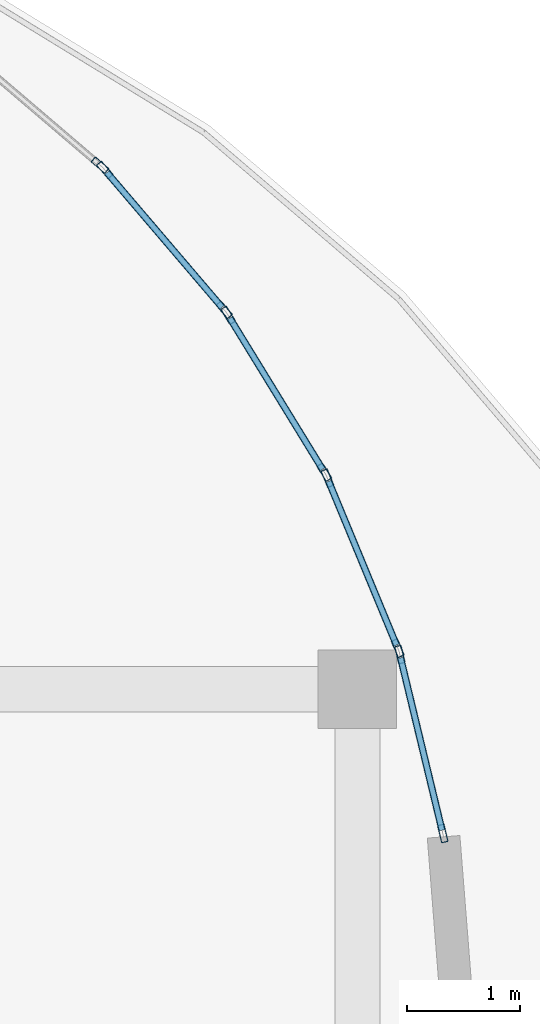
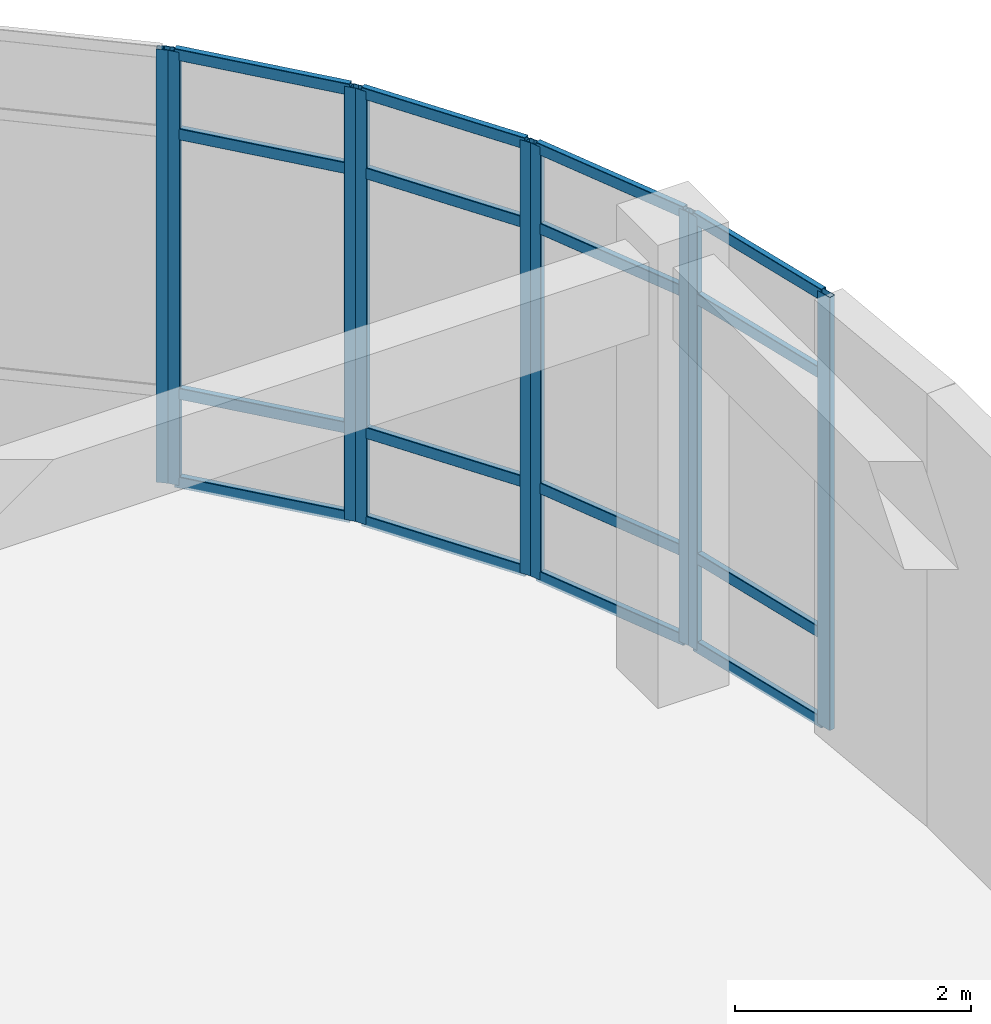
# One storey, part 45 of 64: 25 members, 5 elements without a shape of their own.
"""IFC4 building model written with IfcOpenShell, lengths in metres."""

from ifc_helpers import new_model, si_unit, derived_unit, direction, frame, origin, origin_2d, place, context, subcontext, project, spatial, hollow_rectangle, extrude, material, layer, layer_set, material_profile, profile_set, type_object, element, aggregate, save


model = new_model("IFC4")

# Units and contexts
model_context = context("Model", 3, precision=1e-05, world=origin(), true_north=direction((0.0, 1.0)))
body_context = subcontext(model_context, "Body", "Model", "MODEL_VIEW")
ifc_project = project(units=[si_unit("LENGTHUNIT", "METRE"), si_unit("AREAUNIT", "SQUARE_METRE"), si_unit("VOLUMEUNIT", "CUBIC_METRE"), si_unit("PLANEANGLEUNIT", "RADIAN"), si_unit("MASSUNIT", "GRAM", prefix="KILO"), derived_unit("THERMALTRANSMITTANCEUNIT", [(si_unit("MASSUNIT", "GRAM", prefix="KILO"), 1), (si_unit("TIMEUNIT", "SECOND"), -3), (si_unit("THERMODYNAMICTEMPERATUREUNIT", "KELVIN"), -1)])], contexts=[model_context])

# Site, building, storey
site_placement = place(None, origin())
site = spatial("IfcSite", under=ifc_project, at=site_placement, CompositionType="ELEMENT")
building_placement = place(site_placement, origin())
building = spatial("IfcBuilding", under=site, at=building_placement, Name="Qinzheling Arcade Emporium", CompositionType="ELEMENT")
storey_placement = place(building_placement, frame((0.0, 0.0, 31.5)))
storey = spatial("IfcBuildingStorey", under=building, at=storey_placement, Name="L07", CompositionType="ELEMENT", Elevation=31.5)

# Curtain wall, member
ifc_material_1 = material(Name="Anodised aluminium and solar-control double glazing", Category="aluminium")
ifc_layer = layer(ifc_material_1, 0.159912109375, Name="Anodised aluminium and solar-control double glazing", Category="aluminium")
ifc_layer_set = layer_set([ifc_layer], Name="Anodised aluminium and solar-control double glazing")
curtain_wall_type = type_object("IfcCurtainWallType", Name="Curved Ribbon Sales Curtain Wall", PredefinedType="NOTDEFINED", material=ifc_layer_set)
curtain_wall_1_placement = place(storey_placement, origin())
curtain_wall_1 = element("IfcCurtainWall", 1, at=curtain_wall_1_placement, inside=storey, type_object=curtain_wall_type, Name="Curtain Wall CW-L07-436", PredefinedType="NOTDEFINED")
ifc_material_2 = material(Name="Anodised aluminium 6063-T6", Category="aluminium")
ifc_material_profile_1 = material_profile(ifc_material_2, hollow_rectangle(XDim=0.06005859375, YDim=0.159912109375, WallThickness=0.00390625, InnerFilletRadius=0.00390625, OuterFilletRadius=0.008056640625, at=origin_2d()), Name="RHS 160x60x4", Category="aluminium")
ifc_profile_set_1 = profile_set([ifc_material_profile_1], Name="Anodised aluminium 6063-T6")
member_type_1 = type_object("IfcMemberType", Name="Curtain Wall Mullion RHS160x60", PredefinedType="MULLION", material=ifc_profile_set_1)
member_1_placement = place(storey_placement, frame((128.214111328125, 103.656494140625, 0.0), z_axis=(0.0, 0.0, 1.0), x_axis=(0.64913748237, 0.760671104343, 0.0)))
member_1 = element("IfcMember", 2, at=member_1_placement, type_object=member_type_1, Name="CW02 mullion 2", PredefinedType="MULLION", context=body_context, shape_type="SweptSolid", body=[
    extrude(hollow_rectangle(XDim=0.06005859375, YDim=0.159912109375, WallThickness=0.00390625, InnerFilletRadius=0.00390625, OuterFilletRadius=0.008056640625, at=origin_2d()), origin(), (0.0, 0.0, 1.0), 4.489990234375),
])
aggregate(curtain_wall_1, [member_1])

# Curtain wall, members
curtain_wall_2_placement = place(storey_placement, origin())
curtain_wall_2 = element("IfcCurtainWall", 3, at=curtain_wall_2_placement, inside=storey, type_object=curtain_wall_type, Name="Curtain Wall CW-L07-437", PredefinedType="NOTDEFINED")
member_2_placement = place(storey_placement, frame((128.256591796875, 103.6142578125, 0.0), z_axis=(0.0, 0.0, 1.0), x_axis=(0.760671104343, 0.64913748237, 0.0)))
member_2 = element("IfcMember", 4, at=member_2_placement, type_object=member_type_1, Name="CW02 mullion 1", PredefinedType="MULLION", context=body_context, shape_type="SweptSolid", body=[
    extrude(hollow_rectangle(XDim=0.06005859375, YDim=0.159912109375, WallThickness=0.00390625, InnerFilletRadius=0.00390625, OuterFilletRadius=0.008056640625, at=origin_2d()), origin(), (0.0, 0.0, 1.0), 4.489990234375),
])
member_3_placement = place(storey_placement, frame((129.317626953125, 102.370849609375, 0.0), z_axis=(0.0, 0.0, 1.0), x_axis=(0.760671104343, 0.64913748237, 0.0)))
member_3 = element("IfcMember", 5, at=member_3_placement, type_object=member_type_1, Name="CW02 mullion 2", PredefinedType="MULLION", context=body_context, shape_type="SweptSolid", body=[
    extrude(hollow_rectangle(XDim=0.06005859375, YDim=0.159912109375, WallThickness=0.00390625, InnerFilletRadius=0.00390625, OuterFilletRadius=0.008056640625, at=origin_2d()), origin(), (0.0, 0.0, 1.0), 4.489990234375),
])

curtain_wall_3_placement = place(storey_placement, origin())
curtain_wall_3 = element("IfcCurtainWall", 6, at=curtain_wall_3_placement, inside=storey, type_object=curtain_wall_type, Name="Curtain Wall CW-L07-438", PredefinedType="NOTDEFINED")
member_4_placement = place(storey_placement, frame((129.352783203125, 102.322509765625, 0.0), z_axis=(0.0, 0.0, 1.0), x_axis=(0.852507968087, 0.522714228187, 0.0)))
member_4 = element("IfcMember", 7, at=member_4_placement, type_object=member_type_1, Name="CW02 mullion 1", PredefinedType="MULLION", context=body_context, shape_type="SweptSolid", body=[
    extrude(hollow_rectangle(XDim=0.06005859375, YDim=0.159912109375, WallThickness=0.00390625, InnerFilletRadius=0.00390625, OuterFilletRadius=0.008056640625, at=origin_2d()), origin(), (0.0, 0.0, 1.0), 4.489990234375),
])
member_5_placement = place(storey_placement, frame((130.207275390625, 100.928466796875, 0.0), z_axis=(0.0, 0.0, 1.0), x_axis=(0.852507968087, 0.522714228187, 0.0)))
member_5 = element("IfcMember", 8, at=member_5_placement, type_object=member_type_1, Name="CW02 mullion 2", PredefinedType="MULLION", context=body_context, shape_type="SweptSolid", body=[
    extrude(hollow_rectangle(XDim=0.06005859375, YDim=0.159912109375, WallThickness=0.00390625, InnerFilletRadius=0.00390625, OuterFilletRadius=0.008056640625, at=origin_2d()), origin(), (0.0, 0.0, 1.0), 4.489990234375),
])

curtain_wall_4_placement = place(storey_placement, origin())
curtain_wall_4 = element("IfcCurtainWall", 9, at=curtain_wall_4_placement, inside=storey, type_object=curtain_wall_type, Name="Curtain Wall CW-L07-439", PredefinedType="NOTDEFINED")
member_6_placement = place(storey_placement, frame((130.234375, 100.875244140625, 0.0), z_axis=(0.0, 0.0, 1.0), x_axis=(0.924016832423, 0.382351792725, 0.0)))
member_6 = element("IfcMember", 10, at=member_6_placement, type_object=member_type_1, Name="CW02 mullion 1", PredefinedType="MULLION", context=body_context, shape_type="SweptSolid", body=[
    extrude(hollow_rectangle(XDim=0.06005859375, YDim=0.159912109375, WallThickness=0.00390625, InnerFilletRadius=0.00390625, OuterFilletRadius=0.008056640625, at=origin_2d()), origin(), (0.0, 0.0, 1.0), 4.489990234375),
])
member_7_placement = place(storey_placement, frame((130.859619140625, 99.36474609375, 0.0), z_axis=(0.0, 0.0, 1.0), x_axis=(0.924016832423, 0.382351792725, 0.0)))
member_7 = element("IfcMember", 11, at=member_7_placement, type_object=member_type_1, Name="CW02 mullion 2", PredefinedType="MULLION", context=body_context, shape_type="SweptSolid", body=[
    extrude(hollow_rectangle(XDim=0.06005859375, YDim=0.159912109375, WallThickness=0.00390625, InnerFilletRadius=0.00390625, OuterFilletRadius=0.008056640625, at=origin_2d()), origin(), (0.0, 0.0, 1.0), 4.489990234375),
])

curtain_wall_5_placement = place(storey_placement, origin())
curtain_wall_5 = element("IfcCurtainWall", 12, at=curtain_wall_5_placement, inside=storey, type_object=curtain_wall_type, Name="Curtain Wall CW-L07-440", PredefinedType="NOTDEFINED")
member_8_placement = place(storey_placement, frame((130.8779296875, 99.307861328125, 0.0), z_axis=(0.0, 0.0, 1.0), x_axis=(0.97232299865, 0.233640720545, 0.0)))
member_8 = element("IfcMember", 13, at=member_8_placement, type_object=member_type_1, Name="CW02 mullion 1", PredefinedType="MULLION", context=body_context, shape_type="SweptSolid", body=[
    extrude(hollow_rectangle(XDim=0.06005859375, YDim=0.159912109375, WallThickness=0.00390625, InnerFilletRadius=0.00390625, OuterFilletRadius=0.008056640625, at=origin_2d()), origin(), (0.0, 0.0, 1.0), 4.489990234375),
])
member_9_placement = place(storey_placement, frame((131.260009765625, 97.71826171875, 0.0), z_axis=(0.0, 0.0, 1.0), x_axis=(0.97232299865, 0.233640720545, 0.0)))
member_9 = element("IfcMember", 14, at=member_9_placement, type_object=member_type_1, Name="CW02 mullion 2", PredefinedType="MULLION", context=body_context, shape_type="SweptSolid", body=[
    extrude(hollow_rectangle(XDim=0.06005859375, YDim=0.159912109375, WallThickness=0.00390625, InnerFilletRadius=0.00390625, OuterFilletRadius=0.008056640625, at=origin_2d()), origin(), (0.0, 0.0, 1.0), 4.489990234375),
])

# Member
ifc_material_profile_2 = material_profile(ifc_material_2, hollow_rectangle(XDim=0.06005859375, YDim=0.1201171875, WallThickness=0.00390625, InnerFilletRadius=0.00390625, OuterFilletRadius=0.008056640625, at=origin_2d()), Name="RHS 120x60x4", Category="aluminium")
ifc_profile_set_2 = profile_set([ifc_material_profile_2], Name="Anodised aluminium 6063-T6")
member_type_2 = type_object("IfcMemberType", Name="Curtain Wall Transom RHS120x60", PredefinedType="USERDEFINED", material=ifc_profile_set_2)
member_10_placement = place(storey_placement, frame((128.27587890625, 103.59130859375, 0.030029296875), z_axis=(0.649168313646, -0.760644792632, 0.0), x_axis=(0.760644792632, 0.649168313646, 0.0)))
member_10 = element("IfcMember", 15, at=member_10_placement, type_object=member_type_2, Name="CW02 transom 1.1", ObjectType="TRANSOM", PredefinedType="USERDEFINED", context=body_context, shape_type="SweptSolid", body=[
    extrude(hollow_rectangle(XDim=0.06005859375, YDim=0.1201171875, WallThickness=0.00390625, InnerFilletRadius=0.00390625, OuterFilletRadius=0.008056640625, at=origin_2d()), origin(), (0.0, 0.0, 1.0), 1.57470703125),
])

member_11_placement = place(storey_placement, frame((128.27587890625, 103.59130859375, 0.949951171875), z_axis=(0.649168313646, -0.760644792632, 0.0), x_axis=(0.760644792632, 0.649168313646, 0.0)))
member_11 = element("IfcMember", 16, at=member_11_placement, type_object=member_type_2, Name="CW02 transom 1.2", ObjectType="TRANSOM", PredefinedType="USERDEFINED", context=body_context, shape_type="SweptSolid", body=[
    extrude(hollow_rectangle(XDim=0.06005859375, YDim=0.1201171875, WallThickness=0.00390625, InnerFilletRadius=0.00390625, OuterFilletRadius=0.008056640625, at=origin_2d()), origin(), (0.0, 0.0, 1.0), 1.57470703125),
])

member_12_placement = place(storey_placement, frame((128.27587890625, 103.59130859375, 3.639892578125), z_axis=(0.649168313646, -0.760644792632, 0.0), x_axis=(0.760644792632, 0.649168313646, 0.0)))
member_12 = element("IfcMember", 17, at=member_12_placement, type_object=member_type_2, Name="CW02 transom 1.3", ObjectType="TRANSOM", PredefinedType="USERDEFINED", context=body_context, shape_type="SweptSolid", body=[
    extrude(hollow_rectangle(XDim=0.06005859375, YDim=0.1201171875, WallThickness=0.00390625, InnerFilletRadius=0.00390625, OuterFilletRadius=0.008056640625, at=origin_2d()), origin(), (0.0, 0.0, 1.0), 1.57470703125),
])

member_13_placement = place(storey_placement, frame((128.27587890625, 103.59130859375, 4.4599609375), z_axis=(0.649168313646, -0.760644792632, 0.0), x_axis=(0.760644792632, 0.649168313646, 0.0)))
member_13 = element("IfcMember", 18, at=member_13_placement, type_object=member_type_2, Name="CW02 transom 1.4", ObjectType="TRANSOM", PredefinedType="USERDEFINED", context=body_context, shape_type="SweptSolid", body=[
    extrude(hollow_rectangle(XDim=0.06005859375, YDim=0.1201171875, WallThickness=0.00390625, InnerFilletRadius=0.00390625, OuterFilletRadius=0.008056640625, at=origin_2d()), origin(), (0.0, 0.0, 1.0), 1.57470703125),
])

aggregate(curtain_wall_2, [member_2, member_3, member_10, member_11, member_12, member_13])

member_14_placement = place(storey_placement, frame((129.368408203125, 102.296875, 0.030029296875), z_axis=(0.522678365777, -0.852529956042, 0.0), x_axis=(0.852529956042, 0.522678365777, 0.0)))
member_14 = element("IfcMember", 19, at=member_14_placement, type_object=member_type_2, Name="CW02 transom 1.1", ObjectType="TRANSOM", PredefinedType="USERDEFINED", context=body_context, shape_type="SweptSolid", body=[
    extrude(hollow_rectangle(XDim=0.06005859375, YDim=0.1201171875, WallThickness=0.00390625, InnerFilletRadius=0.00390625, OuterFilletRadius=0.008056640625, at=origin_2d()), origin(), (0.0, 0.0, 1.0), 1.574951171875),
])

member_15_placement = place(storey_placement, frame((129.368408203125, 102.296875, 0.949951171875), z_axis=(0.522678365777, -0.852529956042, 0.0), x_axis=(0.852529956042, 0.522678365777, 0.0)))
member_15 = element("IfcMember", 20, at=member_15_placement, type_object=member_type_2, Name="CW02 transom 1.2", ObjectType="TRANSOM", PredefinedType="USERDEFINED", context=body_context, shape_type="SweptSolid", body=[
    extrude(hollow_rectangle(XDim=0.06005859375, YDim=0.1201171875, WallThickness=0.00390625, InnerFilletRadius=0.00390625, OuterFilletRadius=0.008056640625, at=origin_2d()), origin(), (0.0, 0.0, 1.0), 1.574951171875),
])

member_16_placement = place(storey_placement, frame((129.368408203125, 102.296875, 3.639892578125), z_axis=(0.522678365777, -0.852529956042, 0.0), x_axis=(0.852529956042, 0.522678365777, 0.0)))
member_16 = element("IfcMember", 21, at=member_16_placement, type_object=member_type_2, Name="CW02 transom 1.3", ObjectType="TRANSOM", PredefinedType="USERDEFINED", context=body_context, shape_type="SweptSolid", body=[
    extrude(hollow_rectangle(XDim=0.06005859375, YDim=0.1201171875, WallThickness=0.00390625, InnerFilletRadius=0.00390625, OuterFilletRadius=0.008056640625, at=origin_2d()), origin(), (0.0, 0.0, 1.0), 1.574951171875),
])

member_17_placement = place(storey_placement, frame((129.368408203125, 102.296875, 4.4599609375), z_axis=(0.522678365777, -0.852529956042, 0.0), x_axis=(0.852529956042, 0.522678365777, 0.0)))
member_17 = element("IfcMember", 22, at=member_17_placement, type_object=member_type_2, Name="CW02 transom 1.4", ObjectType="TRANSOM", PredefinedType="USERDEFINED", context=body_context, shape_type="SweptSolid", body=[
    extrude(hollow_rectangle(XDim=0.06005859375, YDim=0.1201171875, WallThickness=0.00390625, InnerFilletRadius=0.00390625, OuterFilletRadius=0.008056640625, at=origin_2d()), origin(), (0.0, 0.0, 1.0), 1.574951171875),
])

aggregate(curtain_wall_3, [member_4, member_5, member_14, member_15, member_16, member_17])

member_18_placement = place(storey_placement, frame((130.245849609375, 100.84765625, 0.030029296875), z_axis=(0.382401992362, -0.923996058562, 0.0), x_axis=(0.923996058562, 0.382401992362, 0.0)))
member_18 = element("IfcMember", 23, at=member_18_placement, type_object=member_type_2, Name="CW02 transom 1.1", ObjectType="TRANSOM", PredefinedType="USERDEFINED", context=body_context, shape_type="SweptSolid", body=[
    extrude(hollow_rectangle(XDim=0.06005859375, YDim=0.1201171875, WallThickness=0.00390625, InnerFilletRadius=0.00390625, OuterFilletRadius=0.008056640625, at=origin_2d()), origin(), (0.0, 0.0, 1.0), 1.574951171875),
])

member_19_placement = place(storey_placement, frame((130.245849609375, 100.84765625, 0.949951171875), z_axis=(0.382401992362, -0.923996058562, 0.0), x_axis=(0.923996058562, 0.382401992362, 0.0)))
member_19 = element("IfcMember", 24, at=member_19_placement, type_object=member_type_2, Name="CW02 transom 1.2", ObjectType="TRANSOM", PredefinedType="USERDEFINED", context=body_context, shape_type="SweptSolid", body=[
    extrude(hollow_rectangle(XDim=0.06005859375, YDim=0.1201171875, WallThickness=0.00390625, InnerFilletRadius=0.00390625, OuterFilletRadius=0.008056640625, at=origin_2d()), origin(), (0.0, 0.0, 1.0), 1.574951171875),
])

member_20_placement = place(storey_placement, frame((130.245849609375, 100.84765625, 3.639892578125), z_axis=(0.382401992362, -0.923996058562, 0.0), x_axis=(0.923996058562, 0.382401992362, 0.0)))
member_20 = element("IfcMember", 25, at=member_20_placement, type_object=member_type_2, Name="CW02 transom 1.3", ObjectType="TRANSOM", PredefinedType="USERDEFINED", context=body_context, shape_type="SweptSolid", body=[
    extrude(hollow_rectangle(XDim=0.06005859375, YDim=0.1201171875, WallThickness=0.00390625, InnerFilletRadius=0.00390625, OuterFilletRadius=0.008056640625, at=origin_2d()), origin(), (0.0, 0.0, 1.0), 1.574951171875),
])

member_21_placement = place(storey_placement, frame((130.245849609375, 100.84765625, 4.4599609375), z_axis=(0.382401992362, -0.923996058562, 0.0), x_axis=(0.923996058562, 0.382401992362, 0.0)))
member_21 = element("IfcMember", 26, at=member_21_placement, type_object=member_type_2, Name="CW02 transom 1.4", ObjectType="TRANSOM", PredefinedType="USERDEFINED", context=body_context, shape_type="SweptSolid", body=[
    extrude(hollow_rectangle(XDim=0.06005859375, YDim=0.1201171875, WallThickness=0.00390625, InnerFilletRadius=0.00390625, OuterFilletRadius=0.008056640625, at=origin_2d()), origin(), (0.0, 0.0, 1.0), 1.574951171875),
])

aggregate(curtain_wall_4, [member_6, member_7, member_18, member_19, member_20, member_21])

member_22_placement = place(storey_placement, frame((130.885009765625, 99.278564453125, 0.030029296875), z_axis=(0.233625068053, -0.972326759674, 0.0), x_axis=(0.972326759674, 0.233625068053, 0.0)))
member_22 = element("IfcMember", 27, at=member_22_placement, type_object=member_type_2, Name="CW02 transom 1.1", ObjectType="TRANSOM", PredefinedType="USERDEFINED", context=body_context, shape_type="SweptSolid", body=[
    extrude(hollow_rectangle(XDim=0.06005859375, YDim=0.1201171875, WallThickness=0.00390625, InnerFilletRadius=0.00390625, OuterFilletRadius=0.008056640625, at=origin_2d()), origin(), (0.0, 0.0, 1.0), 1.574951171875),
])

member_23_placement = place(storey_placement, frame((130.885009765625, 99.278564453125, 0.949951171875), z_axis=(0.233625068053, -0.972326759674, 0.0), x_axis=(0.972326759674, 0.233625068053, 0.0)))
member_23 = element("IfcMember", 28, at=member_23_placement, type_object=member_type_2, Name="CW02 transom 1.2", ObjectType="TRANSOM", PredefinedType="USERDEFINED", context=body_context, shape_type="SweptSolid", body=[
    extrude(hollow_rectangle(XDim=0.06005859375, YDim=0.1201171875, WallThickness=0.00390625, InnerFilletRadius=0.00390625, OuterFilletRadius=0.008056640625, at=origin_2d()), origin(), (0.0, 0.0, 1.0), 1.574951171875),
])

member_24_placement = place(storey_placement, frame((130.885009765625, 99.278564453125, 3.639892578125), z_axis=(0.233625068053, -0.972326759674, 0.0), x_axis=(0.972326759674, 0.233625068053, 0.0)))
member_24 = element("IfcMember", 29, at=member_24_placement, type_object=member_type_2, Name="CW02 transom 1.3", ObjectType="TRANSOM", PredefinedType="USERDEFINED", context=body_context, shape_type="SweptSolid", body=[
    extrude(hollow_rectangle(XDim=0.06005859375, YDim=0.1201171875, WallThickness=0.00390625, InnerFilletRadius=0.00390625, OuterFilletRadius=0.008056640625, at=origin_2d()), origin(), (0.0, 0.0, 1.0), 1.574951171875),
])

member_25_placement = place(storey_placement, frame((130.885009765625, 99.278564453125, 4.4599609375), z_axis=(0.233625068053, -0.972326759674, 0.0), x_axis=(0.972326759674, 0.233625068053, 0.0)))
member_25 = element("IfcMember", 30, at=member_25_placement, type_object=member_type_2, Name="CW02 transom 1.4", ObjectType="TRANSOM", PredefinedType="USERDEFINED", context=body_context, shape_type="SweptSolid", body=[
    extrude(hollow_rectangle(XDim=0.06005859375, YDim=0.1201171875, WallThickness=0.00390625, InnerFilletRadius=0.00390625, OuterFilletRadius=0.008056640625, at=origin_2d()), origin(), (0.0, 0.0, 1.0), 1.574951171875),
])

aggregate(curtain_wall_5, [member_8, member_9, member_22, member_23, member_24, member_25])

save(model, "model.ifc")
